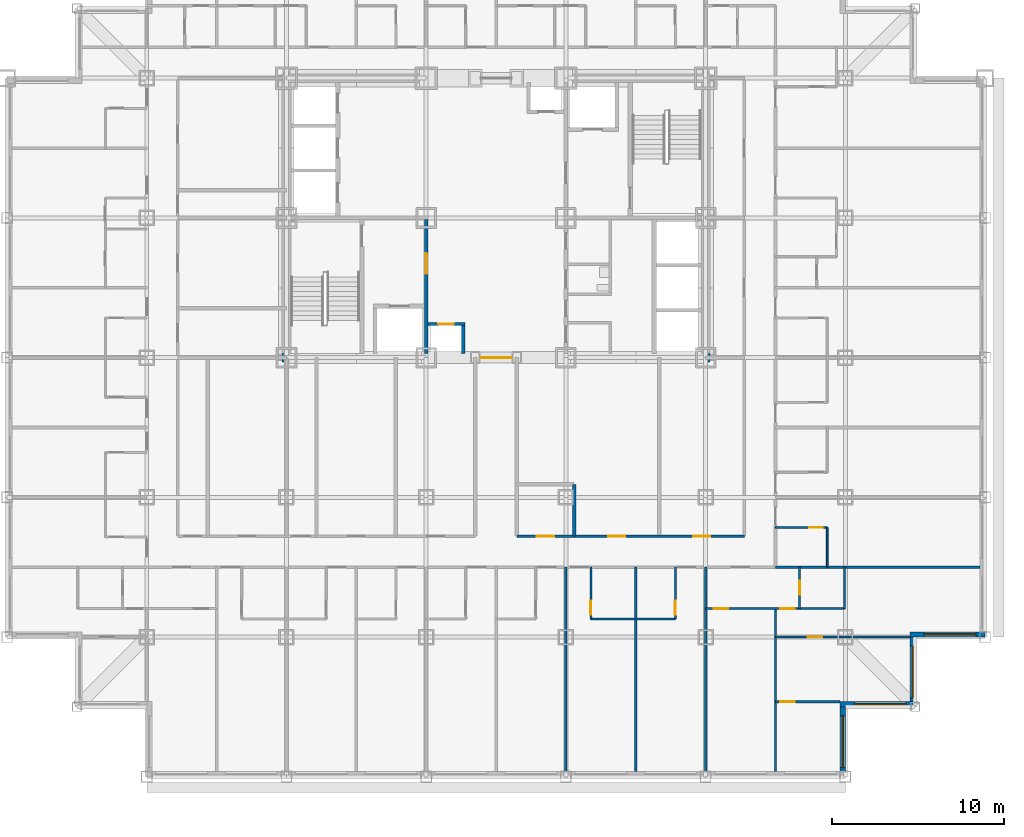
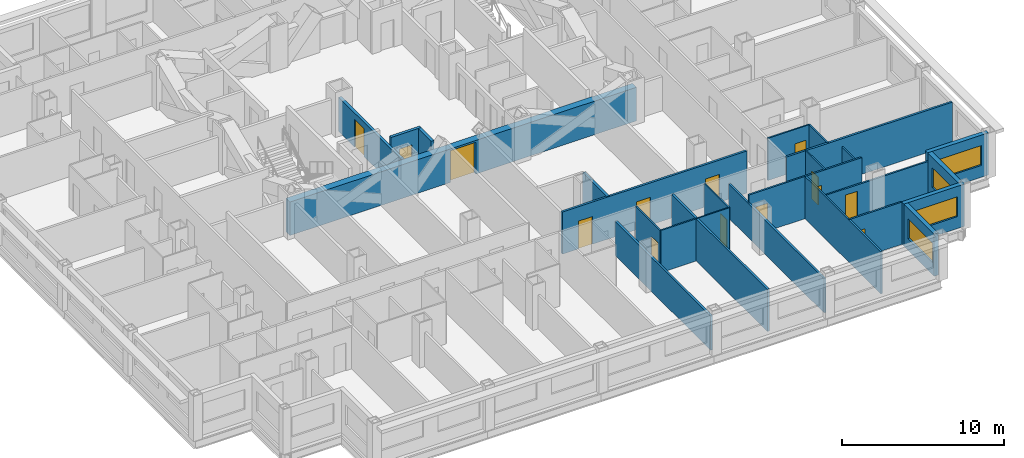
# One storey, part 6 of 13: 25 walls, 14 doors, 4 windows, 18 openings.
"""IFC4 building model written with IfcOpenShell, lengths in metres."""

from ifc_helpers import new_model, si_unit, direction, frame, frame_2d, origin, place, context, subcontext, project, spatial, rectangle, extrude, material, layer, layer_set, type_object, element, fill, save


model = new_model("IFC4")

# Units and contexts
model_context = context("Model", 3, precision=1e-05, world=origin(), true_north=direction((0.0, 1.0)))
body_context = subcontext(model_context, "Body", "Model", "MODEL_VIEW")
ifc_project = project(units=[si_unit("LENGTHUNIT", "METRE"), si_unit("AREAUNIT", "SQUARE_METRE"), si_unit("VOLUMEUNIT", "CUBIC_METRE"), si_unit("PLANEANGLEUNIT", "RADIAN"), si_unit("MASSUNIT", "GRAM", prefix="KILO")], contexts=[model_context])

# Site, building, storey
site_placement = place(None, origin())
site = spatial("IfcSite", under=ifc_project, at=site_placement, CompositionType="ELEMENT")
building_placement = place(site_placement, origin())
building = spatial("IfcBuilding", under=site, at=building_placement, Name="Kopane Lantern Tower", CompositionType="ELEMENT")
storey_placement = place(building_placement, frame((0.0, 0.0, 67.0)))
storey = spatial("IfcBuildingStorey", under=building, at=storey_placement, Name="L16", CompositionType="ELEMENT", Elevation=67.0)

# Wall, openings, doors
ifc_material_1 = material(Name="Gypsum board on steel studs", Category="steel")
ifc_layer_1 = layer(ifc_material_1, 0.1201171875)
ifc_layer_set_1 = layer_set([ifc_layer_1], Name="APARTMENT INTERNAL WALL 120")
wall_type_1 = type_object("IfcWallType", Name="APARTMENT INTERNAL WALL 120", PredefinedType="PARTITIONING", material=ifc_layer_set_1)
wall_1_placement = place(storey_placement, frame((40.5, 9.75, 0.0), z_axis=(0.0, 0.0, 1.0), x_axis=(1.0, 0.0, 0.0)))
wall_1 = element("IfcWall", 1, at=wall_1_placement, inside=storey, type_object=wall_type_1, Name="Apartment Internal Wall 120 L16", PredefinedType="PARTITIONING", context=body_context, shape_type="SweptSolid", body=[
    extrude(rectangle(XDim=8.050048828125, YDim=0.1201171875, at=frame_2d((4.02490234375, 0.0))), origin(), (0.0, 0.0, 1.0), 3.18994140625),
])
opening_1_placement = place(wall_1_placement, frame((0.47509765625, 0.0, 0.0)))
opening_1 = element("IfcOpeningElement", 2, at=opening_1_placement, cuts=wall_1, Name="Opening L16-073", PredefinedType="OPENING", context=body_context, shape_type="SweptSolid", body=[
    extrude(rectangle(XDim=0.85009765625, YDim=2.10009765625, at=frame_2d((0.425048828125, 1.050048828125))), frame((0.0, 0.070068359375, 0.0), z_axis=(0.0, -1.0, 0.0), x_axis=(1.0, 0.0, 0.0)), (0.0, 0.0, 1.0), 0.14013671875),
])
opening_2_placement = place(wall_1_placement, frame((4.324951171875, 0.0, 0.0)))
opening_2 = element("IfcOpeningElement", 3, at=opening_2_placement, cuts=wall_1, Name="Opening L16-075", PredefinedType="OPENING", context=body_context, shape_type="SweptSolid", body=[
    extrude(rectangle(XDim=0.85009765625, YDim=2.10009765625, at=frame_2d((0.425048828125, 1.050048828125))), frame((0.0, 0.070068359375, 0.0), z_axis=(0.0, -1.0, 0.0), x_axis=(1.0, 0.0, 0.0)), (0.0, 0.0, 1.0), 0.14013671875),
])
ifc_material_2 = material(Name="Timber door set", Category="wood")
door_type_1 = type_object("IfcDoorType", Name="DOOR D4 850x2100", OperationType="SINGLE_SWING_LEFT", PredefinedType="DOOR", material=ifc_material_2)
door_1_placement = place(opening_1_placement, origin())
door_1 = element("IfcDoor", 4, at=door_1_placement, inside=storey, type_object=door_type_1, Name="Door L16-073", OperationType="SINGLE_SWING_LEFT", OverallHeight=2.10009765625, OverallWidth=0.85009765625, PredefinedType="DOOR", context=body_context, shape_type="SweptSolid", body=[
    extrude(rectangle(XDim=0.85009765625, YDim=2.10009765625, at=frame_2d((0.425048828125, 1.050048828125))), frame((0.0, 0.02490234375, 0.0), z_axis=(0.0, -1.0, 0.0), x_axis=(1.0, 0.0, 0.0)), (0.0, 0.0, 1.0), 0.050048828125),
])
fill(opening_1, door_1)
door_2_placement = place(opening_2_placement, origin())
door_2 = element("IfcDoor", 5, at=door_2_placement, inside=storey, type_object=door_type_1, Name="Door L16-075", OperationType="SINGLE_SWING_RIGHT", OverallHeight=2.10009765625, OverallWidth=0.85009765625, PredefinedType="DOOR", context=body_context, shape_type="SweptSolid", body=[
    extrude(rectangle(XDim=0.85009765625, YDim=2.10009765625, at=frame_2d((0.425048828125, 1.050048828125))), frame((0.0, 0.02490234375, 0.0), z_axis=(0.0, -1.0, 0.0), x_axis=(1.0, 0.0, 0.0)), (0.0, 0.0, 1.0), 0.050048828125),
])
fill(opening_2, door_2)

# Wall
wall_2_placement = place(storey_placement, frame((44.550048828125, 9.75, 0.0), z_axis=(0.0, 0.0, 1.0), x_axis=(0.0, -1.0, 0.0)))
element("IfcWall", 6, at=wall_2_placement, inside=storey, type_object=wall_type_1, Name="Apartment Internal Wall 120 L16", PredefinedType="PARTITIONING", context=body_context, shape_type="SweptSolid", body=[
    extrude(rectangle(XDim=9.449951171875, YDim=0.1201171875, at=frame_2d((4.72509765625, 0.0))), origin(), (0.0, 0.0, 1.0), 3.18994140625),
])

# Wall, opening, door
wall_3_placement = place(storey_placement, frame((44.550048828125, 8.10009765625, 0.0), z_axis=(0.0, 0.0, 1.0), x_axis=(1.0, 0.0, 0.0)))
wall_3 = element("IfcWall", 7, at=wall_3_placement, inside=storey, type_object=wall_type_1, Name="Apartment Internal Wall 120 L16", PredefinedType="PARTITIONING", context=body_context, shape_type="SweptSolid", body=[
    extrude(rectangle(XDim=7.800048828125, YDim=0.1201171875, at=frame_2d((3.89990234375, 0.0))), origin(), (0.0, 0.0, 1.0), 2.577880859375),
])
opening_3_placement = place(wall_3_placement, frame((1.875, 0.0, 0.0)))
opening_3 = element("IfcOpeningElement", 8, at=opening_3_placement, cuts=wall_3, Name="Opening L16-076", PredefinedType="OPENING", context=body_context, shape_type="SweptSolid", body=[
    extrude(rectangle(XDim=0.85009765625, YDim=2.10009765625, at=frame_2d((0.425048828125, 1.050048828125))), frame((0.0, 0.070068359375, 0.0), z_axis=(0.0, -1.0, 0.0), x_axis=(1.0, 0.0, 0.0)), (0.0, 0.0, 1.0), 0.14013671875),
])
door_3_placement = place(opening_3_placement, origin())
door_3 = element("IfcDoor", 9, at=door_3_placement, inside=storey, type_object=door_type_1, Name="Door L16-076", OperationType="SINGLE_SWING_LEFT", OverallHeight=2.10009765625, OverallWidth=0.85009765625, PredefinedType="DOOR", context=body_context, shape_type="SweptSolid", body=[
    extrude(rectangle(XDim=0.85009765625, YDim=2.10009765625, at=frame_2d((0.425048828125, 1.050048828125))), frame((0.0, 0.02490234375, 0.0), z_axis=(0.0, -1.0, 0.0), x_axis=(1.0, 0.0, 0.0)), (0.0, 0.0, 1.0), 0.050048828125),
])
fill(opening_3, door_3)

wall_4_placement = place(storey_placement, frame((44.550048828125, 4.35009765625, 0.0), z_axis=(0.0, 0.0, 1.0), x_axis=(1.0, 0.0, 0.0)))
wall_4 = element("IfcWall", 10, at=wall_4_placement, inside=storey, type_object=wall_type_1, Name="Apartment Internal Wall 120 L16", PredefinedType="PARTITIONING", context=body_context, shape_type="SweptSolid", body=[
    extrude(rectangle(XDim=3.75, YDim=0.1201171875, at=frame_2d((1.875, 0.0))), origin(), (0.0, 0.0, 1.0), 3.18994140625),
])
opening_4_placement = place(wall_4_placement, frame((0.27490234375, 0.0, 0.0)))
opening_4 = element("IfcOpeningElement", 11, at=opening_4_placement, cuts=wall_4, Name="Opening L16-083", PredefinedType="OPENING", context=body_context, shape_type="SweptSolid", body=[
    extrude(rectangle(XDim=0.85009765625, YDim=2.10009765625, at=frame_2d((0.425048828125, 1.050048828125))), frame((0.0, 0.070068359375, 0.0), z_axis=(0.0, -1.0, 0.0), x_axis=(1.0, 0.0, 0.0)), (0.0, 0.0, 1.0), 0.14013671875),
])
door_4_placement = place(opening_4_placement, origin())
door_4 = element("IfcDoor", 12, at=door_4_placement, inside=storey, type_object=door_type_1, Name="Door L16-083", OperationType="SINGLE_SWING_RIGHT", OverallHeight=2.10009765625, OverallWidth=0.85009765625, PredefinedType="DOOR", context=body_context, shape_type="SweptSolid", body=[
    extrude(rectangle(XDim=0.85009765625, YDim=2.10009765625, at=frame_2d((0.425048828125, 1.050048828125))), frame((0.0, 0.02490234375, 0.0), z_axis=(0.0, -1.0, 0.0), x_axis=(1.0, 0.0, 0.0)), (0.0, 0.0, 1.0), 0.050048828125),
])
fill(opening_4, door_4)

# Wall
ifc_material_3 = material(Name="Moisture-resistant board on steel studs", Category="steel")
ifc_layer_2 = layer(ifc_material_3, 0.10009765625)
ifc_layer_set_2 = layer_set([ifc_layer_2], Name="BATHROOM WALL 100")
wall_type_2 = type_object("IfcWallType", Name="BATHROOM WALL 100", PredefinedType="PARTITIONING", material=ifc_layer_set_2)
wall_5_placement = place(storey_placement, frame((33.85009765625, 9.14990234375, 0.0), z_axis=(0.0, 0.0, 1.0), x_axis=(1.0, 0.0, 0.0)))
element("IfcWall", 13, at=wall_5_placement, inside=storey, type_object=wall_type_2, Name="Bathroom Wall 100 L16", PredefinedType="PARTITIONING", context=body_context, shape_type="SweptSolid", body=[
    extrude(rectangle(XDim=4.89990234375, YDim=0.10009765625, at=frame_2d((2.449951171875, 0.0))), origin(), (0.0, 0.0, 1.0), 3.18994140625),
])

# Wall, opening, door
wall_6_placement = place(storey_placement, frame((33.85009765625, 12.14990234375, 0.0), z_axis=(0.0, 0.0, 1.0), x_axis=(0.0, -1.0, 0.0)))
wall_6 = element("IfcWall", 14, at=wall_6_placement, inside=storey, type_object=wall_type_2, Name="Bathroom Wall 100 L16", PredefinedType="PARTITIONING", context=body_context, shape_type="SweptSolid", body=[
    extrude(rectangle(XDim=3.0, YDim=0.10009765625, at=frame_2d((1.5, 0.0))), origin(), (0.0, 0.0, 1.0), 3.18994140625),
])
opening_5_placement = place(wall_6_placement, frame((1.949951171875, 0.0, 0.0)))
opening_5 = element("IfcOpeningElement", 15, at=opening_5_placement, cuts=wall_6, Name="Opening L16-025", PredefinedType="OPENING", context=body_context, shape_type="SweptSolid", body=[
    extrude(rectangle(XDim=0.800048828125, YDim=2.10009765625, at=frame_2d((0.39990234375, 1.050048828125))), frame((0.0, 0.06005859375, 0.0), z_axis=(0.0, -1.0, 0.0), x_axis=(1.0, 0.0, 0.0)), (0.0, 0.0, 1.0), 0.1201171875),
])
ifc_material_4 = material(Name="Timber door set", Category="wood")
door_type_2 = type_object("IfcDoorType", Name="DOOR D2 800x2100", OperationType="SINGLE_SWING_LEFT", PredefinedType="DOOR", material=ifc_material_4)
door_5_placement = place(opening_5_placement, origin())
door_5 = element("IfcDoor", 16, at=door_5_placement, inside=storey, type_object=door_type_2, Name="Door L16-025", OperationType="SINGLE_SWING_RIGHT", OverallHeight=2.10009765625, OverallWidth=0.800048828125, PredefinedType="DOOR", context=body_context, shape_type="SweptSolid", body=[
    extrude(rectangle(XDim=0.800048828125, YDim=2.10009765625, at=frame_2d((0.39990234375, 1.050048828125))), frame((0.0, 0.02490234375, 0.0), z_axis=(0.0, -1.0, 0.0), x_axis=(1.0, 0.0, 0.0)), (0.0, 0.0, 1.0), 0.050048828125),
])
fill(opening_5, door_5)

wall_7_placement = place(storey_placement, frame((38.75, 12.14990234375, 0.0), z_axis=(0.0, 0.0, 1.0), x_axis=(0.0, -1.0, 0.0)))
wall_7 = element("IfcWall", 17, at=wall_7_placement, inside=storey, type_object=wall_type_2, Name="Bathroom Wall 100 L16", PredefinedType="PARTITIONING", context=body_context, shape_type="SweptSolid", body=[
    extrude(rectangle(XDim=3.0, YDim=0.10009765625, at=frame_2d((1.5, 0.0))), origin(), (0.0, 0.0, 1.0), 3.18994140625),
])
opening_6_placement = place(wall_7_placement, frame((1.949951171875, 0.0, 0.0)))
opening_6 = element("IfcOpeningElement", 18, at=opening_6_placement, cuts=wall_7, Name="Opening L16-027", PredefinedType="OPENING", context=body_context, shape_type="SweptSolid", body=[
    extrude(rectangle(XDim=0.800048828125, YDim=2.10009765625, at=frame_2d((0.39990234375, 1.050048828125))), frame((0.0, 0.06005859375, 0.0), z_axis=(0.0, -1.0, 0.0), x_axis=(1.0, 0.0, 0.0)), (0.0, 0.0, 1.0), 0.1201171875),
])
door_6_placement = place(opening_6_placement, origin())
door_6 = element("IfcDoor", 19, at=door_6_placement, inside=storey, type_object=door_type_2, Name="Door L16-027", OperationType="SINGLE_SWING_LEFT", OverallHeight=2.10009765625, OverallWidth=0.800048828125, PredefinedType="DOOR", context=body_context, shape_type="SweptSolid", body=[
    extrude(rectangle(XDim=0.800048828125, YDim=2.10009765625, at=frame_2d((0.39990234375, 1.050048828125))), frame((0.0, 0.02490234375, 0.0), z_axis=(0.0, -1.0, 0.0), x_axis=(1.0, 0.0, 0.0)), (0.0, 0.0, 1.0), 0.050048828125),
])
fill(opening_6, door_6)

# Wall
wall_8_placement = place(storey_placement, frame((47.550048828125, 12.14990234375, 0.0), z_axis=(0.0, 0.0, 1.0), x_axis=(0.0, 1.0, 0.0)))
element("IfcWall", 20, at=wall_8_placement, inside=storey, type_object=wall_type_2, Name="Bathroom Wall 100 L16", PredefinedType="PARTITIONING", context=body_context, shape_type="SweptSolid", body=[
    extrude(rectangle(XDim=2.300048828125, YDim=0.10009765625, at=frame_2d((1.14990234375, 0.0))), origin(), (0.0, 0.0, 1.0), 3.18994140625),
])

# Wall, opening, door
wall_9_placement = place(storey_placement, frame((44.550048828125, 14.449951171875, 0.0), z_axis=(0.0, 0.0, 1.0), x_axis=(1.0, 0.0, 0.0)))
wall_9 = element("IfcWall", 21, at=wall_9_placement, inside=storey, type_object=wall_type_2, Name="Bathroom Wall 100 L16", PredefinedType="PARTITIONING", context=body_context, shape_type="SweptSolid", body=[
    extrude(rectangle(XDim=3.0, YDim=0.10009765625, at=frame_2d((1.5, 0.0))), origin(), (0.0, 0.0, 1.0), 3.18994140625),
])
opening_7_placement = place(wall_9_placement, frame((1.949951171875, 0.0, 0.0)))
opening_7 = element("IfcOpeningElement", 22, at=opening_7_placement, cuts=wall_9, Name="Opening L16-054", PredefinedType="OPENING", context=body_context, shape_type="SweptSolid", body=[
    extrude(rectangle(XDim=0.800048828125, YDim=2.10009765625, at=frame_2d((0.39990234375, 1.050048828125))), frame((0.0, 0.06005859375, 0.0), z_axis=(0.0, -1.0, 0.0), x_axis=(1.0, 0.0, 0.0)), (0.0, 0.0, 1.0), 0.1201171875),
])
door_7_placement = place(opening_7_placement, origin())
door_7 = element("IfcDoor", 23, at=door_7_placement, inside=storey, type_object=door_type_2, Name="Door L16-054", OperationType="SINGLE_SWING_LEFT", OverallHeight=2.10009765625, OverallWidth=0.800048828125, PredefinedType="DOOR", context=body_context, shape_type="SweptSolid", body=[
    extrude(rectangle(XDim=0.800048828125, YDim=2.10009765625, at=frame_2d((0.39990234375, 1.050048828125))), frame((0.0, 0.02490234375, 0.0), z_axis=(0.0, -1.0, 0.0), x_axis=(1.0, 0.0, 0.0)), (0.0, 0.0, 1.0), 0.050048828125),
])
fill(opening_7, door_7)

wall_10_placement = place(storey_placement, frame((45.949951171875, 12.14990234375, 0.0), z_axis=(0.0, 0.0, 1.0), x_axis=(0.0, -1.0, 0.0)))
wall_10 = element("IfcWall", 24, at=wall_10_placement, inside=storey, type_object=wall_type_2, Name="Bathroom Wall 100 L16", PredefinedType="PARTITIONING", context=body_context, shape_type="SweptSolid", body=[
    extrude(rectangle(XDim=2.39990234375, YDim=0.10009765625, at=frame_2d((1.199951171875, 0.0))), origin(), (0.0, 0.0, 1.0), 3.18994140625),
])
opening_8_placement = place(wall_10_placement, frame((0.800048828125, 0.0, 0.0)))
opening_8 = element("IfcOpeningElement", 25, at=opening_8_placement, cuts=wall_10, Name="Opening L16-074", PredefinedType="OPENING", context=body_context, shape_type="SweptSolid", body=[
    extrude(rectangle(XDim=0.800048828125, YDim=2.10009765625, at=frame_2d((0.39990234375, 1.050048828125))), frame((0.0, 0.06005859375, 0.0), z_axis=(0.0, -1.0, 0.0), x_axis=(1.0, 0.0, 0.0)), (0.0, 0.0, 1.0), 0.1201171875),
])
door_8_placement = place(opening_8_placement, origin())
door_8 = element("IfcDoor", 26, at=door_8_placement, inside=storey, type_object=door_type_2, Name="Door L16-074", OperationType="SINGLE_SWING_LEFT", OverallHeight=2.10009765625, OverallWidth=0.800048828125, PredefinedType="DOOR", context=body_context, shape_type="SweptSolid", body=[
    extrude(rectangle(XDim=0.800048828125, YDim=2.10009765625, at=frame_2d((0.39990234375, 1.050048828125))), frame((0.0, 0.02490234375, 0.0), z_axis=(0.0, -1.0, 0.0), x_axis=(1.0, 0.0, 0.0)), (0.0, 0.0, 1.0), 0.050048828125),
])
fill(opening_8, door_8)

# Wall
wall_11_placement = place(storey_placement, frame((48.550048828125, 12.14990234375, 0.0), z_axis=(0.0, 0.0, 1.0), x_axis=(0.0, -1.0, 0.0)))
element("IfcWall", 27, at=wall_11_placement, inside=storey, type_object=wall_type_2, Name="Bathroom Wall 100 L16", PredefinedType="PARTITIONING", context=body_context, shape_type="SweptSolid", body=[
    extrude(rectangle(XDim=2.39990234375, YDim=0.10009765625, at=frame_2d((1.199951171875, 0.0))), origin(), (0.0, 0.0, 1.0), 2.577880859375),
])

# Wall, opening, door
ifc_material_5 = material(Name="Gypsum shaft wall EI 120", Category="gypsum")
ifc_layer_3 = layer(ifc_material_5, 0.5)
ifc_layer_set_3 = layer_set([ifc_layer_3], Name="CORE PERIMETER WALL 500 EI 120")
wall_type_3 = type_object("IfcWallType", Name="CORE PERIMETER WALL 500 EI 120", PredefinedType="SOLIDWALL", material=ifc_layer_set_3)
wall_12_placement = place(storey_placement, frame((15.949951171875, 24.300048828125, 0.0), z_axis=(0.0, 0.0, 1.0), x_axis=(1.0, 0.0, 0.0)))
wall_12 = element("IfcWall", 28, at=wall_12_placement, inside=storey, type_object=wall_type_3, Name="Core shaft wall L16 PS", PredefinedType="SOLIDWALL", context=body_context, shape_type="SweptSolid", body=[
    extrude(rectangle(XDim=24.800048828125, YDim=0.5, at=frame_2d((12.39990234375, 0.0))), origin(), (0.0, 0.0, 1.0), 2.5400390625),
])
opening_9_placement = place(wall_12_placement, frame((11.5, 0.0, 0.0)))
opening_9 = element("IfcOpeningElement", 29, at=opening_9_placement, cuts=wall_12, Name="Opening 16.CE-S", PredefinedType="OPENING", context=body_context, shape_type="SweptSolid", body=[
    extrude(rectangle(XDim=1.800048828125, YDim=2.39990234375, at=frame_2d((0.89990234375, 1.199951171875))), frame((0.0, 0.260009765625, 0.0), z_axis=(0.0, -1.0, 0.0), x_axis=(1.0, 0.0, 0.0)), (0.0, 0.0, 1.0), 0.52001953125),
])
ifc_material_6 = material(Name="Steel door set", Category="steel")
door_type_3 = type_object("IfcDoorType", Name="CORE ENTRY DOOR 1800x2400 FD60S", OperationType="DOUBLE_DOOR_SINGLE_SWING", PredefinedType="DOOR", material=ifc_material_6)
door_9_placement = place(opening_9_placement, origin())
door_9 = element("IfcDoor", 30, at=door_9_placement, inside=storey, type_object=door_type_3, Name="Core entry door L16 south", OperationType="DOUBLE_DOOR_SINGLE_SWING", OverallHeight=2.39990234375, OverallWidth=1.800048828125, PredefinedType="DOOR", context=body_context, shape_type="SweptSolid", body=[
    extrude(rectangle(XDim=1.800048828125, YDim=2.39990234375, at=frame_2d((0.89990234375, 1.199951171875))), frame((0.0, 0.02490234375, 0.0), z_axis=(0.0, -1.0, 0.0), x_axis=(1.0, 0.0, 0.0)), (0.0, 0.0, 1.0), 0.050048828125),
])
fill(opening_9, door_9)

# Wall, openings, doors
ifc_material_7 = material(Name="Gypsum board on steel studs", Category="steel")
ifc_layer_4 = layer(ifc_material_7, 0.14990234375)
ifc_layer_set_4 = layer_set([ifc_layer_4], Name="CORRIDOR WALL 150 EI 60")
wall_type_4 = type_object("IfcWallType", Name="CORRIDOR WALL 150 EI 60", PredefinedType="PARTITIONING", material=ifc_layer_set_4)
wall_13_placement = place(storey_placement, frame((29.56005859375, 13.949951171875, 0.0), z_axis=(0.0, 0.0, 1.0), x_axis=(1.0, 0.0, 0.0)))
wall_13 = element("IfcWall", 31, at=wall_13_placement, inside=storey, type_object=wall_type_4, Name="Corridor Wall 150 Ei 60 L16", PredefinedType="PARTITIONING", context=body_context, shape_type="SweptSolid", body=[
    extrude(rectangle(XDim=13.18994140625, YDim=0.14990234375, at=frame_2d((6.594970703125, 0.0))), origin(), (0.0, 0.0, 1.0), 3.18994140625),
])
opening_10_placement = place(wall_13_placement, frame((1.15673828125, 0.0, 0.0)))
opening_10 = element("IfcOpeningElement", 32, at=opening_10_placement, cuts=wall_13, Name="Opening L16-012", PredefinedType="OPENING", context=body_context, shape_type="SweptSolid", body=[
    extrude(rectangle(XDim=1.0, YDim=2.10009765625, at=frame_2d((0.5, 1.050048828125))), frame((0.0, 0.0849609375, 0.0), z_axis=(0.0, -1.0, 0.0), x_axis=(1.0, 0.0, 0.0)), (0.0, 0.0, 1.0), 0.169921875),
])
opening_11_placement = place(wall_13_placement, frame((5.2900390625, 0.0, 0.0)))
opening_11 = element("IfcOpeningElement", 33, at=opening_11_placement, cuts=wall_13, Name="Opening L16-013", PredefinedType="OPENING", context=body_context, shape_type="SweptSolid", body=[
    extrude(rectangle(XDim=1.0, YDim=2.10009765625, at=frame_2d((0.5, 1.050048828125))), frame((0.0, 0.0849609375, 0.0), z_axis=(0.0, -1.0, 0.0), x_axis=(1.0, 0.0, 0.0)), (0.0, 0.0, 1.0), 0.169921875),
])
opening_12_placement = place(wall_13_placement, frame((10.223388671875, 0.0, 0.0)))
opening_12 = element("IfcOpeningElement", 34, at=opening_12_placement, cuts=wall_13, Name="Opening L16-014", PredefinedType="OPENING", context=body_context, shape_type="SweptSolid", body=[
    extrude(rectangle(XDim=1.0, YDim=2.10009765625, at=frame_2d((0.5, 1.050048828125))), frame((0.0, 0.0849609375, 0.0), z_axis=(0.0, -1.0, 0.0), x_axis=(1.0, 0.0, 0.0)), (0.0, 0.0, 1.0), 0.169921875),
])
ifc_material_8 = material(Name="Steel door set", Category="steel")
door_type_4 = type_object("IfcDoorType", Name="DOOR D5 1000x2100 FD60", OperationType="SINGLE_SWING_LEFT", PredefinedType="DOOR", material=ifc_material_8)
door_10_placement = place(opening_10_placement, origin())
door_10 = element("IfcDoor", 35, at=door_10_placement, inside=storey, type_object=door_type_4, Name="Door L16-012", OperationType="SINGLE_SWING_LEFT", OverallHeight=2.10009765625, OverallWidth=1.0, PredefinedType="DOOR", context=body_context, shape_type="SweptSolid", body=[
    extrude(rectangle(XDim=1.0, YDim=2.10009765625, at=frame_2d((0.5, 1.050048828125))), frame((0.0, 0.02490234375, 0.0), z_axis=(0.0, -1.0, 0.0), x_axis=(1.0, 0.0, 0.0)), (0.0, 0.0, 1.0), 0.050048828125),
])
fill(opening_10, door_10)
door_11_placement = place(opening_11_placement, origin())
door_11 = element("IfcDoor", 36, at=door_11_placement, inside=storey, type_object=door_type_4, Name="Door L16-013", OperationType="SINGLE_SWING_RIGHT", OverallHeight=2.10009765625, OverallWidth=1.0, PredefinedType="DOOR", context=body_context, shape_type="SweptSolid", body=[
    extrude(rectangle(XDim=1.0, YDim=2.10009765625, at=frame_2d((0.5, 1.050048828125))), frame((0.0, 0.02490234375, 0.0), z_axis=(0.0, -1.0, 0.0), x_axis=(1.0, 0.0, 0.0)), (0.0, 0.0, 1.0), 0.050048828125),
])
fill(opening_11, door_11)
door_12_placement = place(opening_12_placement, origin())
door_12 = element("IfcDoor", 37, at=door_12_placement, inside=storey, type_object=door_type_4, Name="Door L16-014", OperationType="SINGLE_SWING_LEFT", OverallHeight=2.10009765625, OverallWidth=1.0, PredefinedType="DOOR", context=body_context, shape_type="SweptSolid", body=[
    extrude(rectangle(XDim=1.0, YDim=2.10009765625, at=frame_2d((0.5, 1.050048828125))), frame((0.0, 0.02490234375, 0.0), z_axis=(0.0, -1.0, 0.0), x_axis=(1.0, 0.0, 0.0)), (0.0, 0.0, 1.0), 0.050048828125),
])
fill(opening_12, door_12)

# Walls
ifc_material_9 = material(Name="Gypsum board on steel studs", Category="steel")
ifc_layer_5 = layer(ifc_material_9, 0.14990234375)
ifc_layer_set_5 = layer_set([ifc_layer_5], Name="DEMISING WALL 150 EI 60")
wall_type_5 = type_object("IfcWallType", Name="DEMISING WALL 150 EI 60", PredefinedType="PARTITIONING", material=ifc_layer_set_5)
wall_14_placement = place(storey_placement, frame((32.39990234375, 12.14990234375, 0.0), z_axis=(0.0, 0.0, 1.0), x_axis=(0.0, -1.0, 0.0)))
element("IfcWall", 38, at=wall_14_placement, inside=storey, type_object=wall_type_5, Name="Demising Wall 150 Ei 60 L16", PredefinedType="PARTITIONING", context=body_context, shape_type="SweptSolid", body=[
    extrude(rectangle(XDim=11.849853515625, YDim=0.14990234375, at=frame_2d((5.9248046875, 0.0))), origin(), (0.0, 0.0, 1.0), 2.577880859375),
])
for number, where, z_axis, x_axis, name in (
    (39, (36.449951171875, 12.14990234375, 0.0), (0.0, 0.0, 1.0), (0.0, -1.0, 0.0), "Demising Wall 150 Ei 60 L16"),
    (40, (44.550048828125, 12.14990234375, 0.0), (0.0, 0.0, 1.0), (1.0, 0.0, 0.0), "Demising Wall 150 Ei 60 L16"),
):
    element("IfcWall", number, at=place(storey_placement, frame(where, z_axis=z_axis, x_axis=x_axis)), inside=storey, type_object=wall_type_5, Name=name, PredefinedType="PARTITIONING", context=body_context, shape_type="SweptSolid", body=[
        extrude(rectangle(XDim=11.849853515625, YDim=0.14990234375, at=frame_2d((5.9248046875, 0.0))), origin(), (0.0, 0.0, 1.0), 3.18994140625),
    ])
wall_15_placement = place(storey_placement, frame((40.5, 12.14990234375, 0.0), z_axis=(0.0, 0.0, 1.0), x_axis=(0.0, -1.0, 0.0)))
element("IfcWall", 41, at=wall_15_placement, inside=storey, type_object=wall_type_5, Name="Demising Wall 150 Ei 60 L16", PredefinedType="PARTITIONING", context=body_context, shape_type="SweptSolid", body=[
    extrude(rectangle(XDim=11.849853515625, YDim=0.14990234375, at=frame_2d((5.9248046875, 0.0))), origin(), (0.0, 0.0, 1.0), 2.577880859375),
])

# Wall, opening, window
ifc_material_10 = material(Name="Terracotta rainscreen on light steel framing", Category="masonry")
ifc_layer_6 = layer(ifc_material_10, 0.300048828125)
ifc_layer_set_6 = layer_set([ifc_layer_6], Name="EXTERNAL WALL EW1 300 TERRACOTTA")
wall_type_6 = type_object("IfcWallType", Name="EXTERNAL WALL EW1 300 TERRACOTTA", PredefinedType="SOLIDWALL", material=ifc_layer_set_6)
wall_16_placement = place(storey_placement, frame((48.449951171875, 0.300048828125, 0.0), z_axis=(0.0, 0.0, 1.0), x_axis=(0.0, 1.0, 0.0)))
wall_16 = element("IfcWall", 42, at=wall_16_placement, inside=storey, type_object=wall_type_6, Name="External wall E L16", PredefinedType="SOLIDWALL", context=body_context, shape_type="SweptSolid", body=[
    extrude(rectangle(XDim=3.75, YDim=0.300048828125, at=frame_2d((1.875, 0.0))), origin(), (0.0, 0.0, 1.0), 3.18994140625),
])
opening_13_placement = place(wall_16_placement, frame((0.22509765625, 0.0, 0.89990234375)))
opening_13 = element("IfcOpeningElement", 43, at=opening_13_placement, cuts=wall_16, Name="Opening WR300150", PredefinedType="OPENING", context=body_context, shape_type="SweptSolid", body=[
    extrude(rectangle(XDim=3.0, YDim=1.5, at=frame_2d((1.5, 0.75))), frame((0.0, 0.159912109375, 0.0), z_axis=(0.0, -1.0, 0.0), x_axis=(1.0, 0.0, 0.0)), (0.0, 0.0, 1.0), 0.320068359375),
])
ifc_material_11 = material(Name="Aluminium and clear glass", Category="aluminium")
window_type = type_object("IfcWindowType", Name="RIBBON WINDOW WR300150 3000x1500", PartitioningType="SINGLE_PANEL", PredefinedType="WINDOW", material=ifc_material_11)
window_1_placement = place(opening_13_placement, origin())
window_1 = element("IfcWindow", 44, at=window_1_placement, inside=storey, type_object=window_type, Name="Window E L16", OverallHeight=1.5, OverallWidth=3.0, PartitioningType="SINGLE_PANEL", PredefinedType="WINDOW", context=body_context, shape_type="SweptSolid", body=[
    extrude(rectangle(XDim=3.0, YDim=1.5, at=frame_2d((1.5, 0.75))), frame((0.0, 0.030029296875, 0.0), z_axis=(0.0, -1.0, 0.0), x_axis=(1.0, 0.0, 0.0)), (0.0, 0.0, 1.0), 0.06005859375),
])
fill(opening_13, window_1)

wall_17_placement = place(storey_placement, frame((48.300048828125, 4.199951171875, 0.0), z_axis=(0.0, 0.0, 1.0), x_axis=(1.0, 0.0, 0.0)))
wall_17 = element("IfcWall", 45, at=wall_17_placement, inside=storey, type_object=wall_type_6, Name="External wall S L16", PredefinedType="SOLIDWALL", context=body_context, shape_type="SweptSolid", body=[
    extrude(rectangle(XDim=4.349853515625, YDim=0.300048828125, at=frame_2d((2.1748046875, 0.0))), origin(), (0.0, 0.0, 1.0), 3.18994140625),
])
opening_14_placement = place(wall_17_placement, frame((0.824951171875, 0.0, 0.89990234375)))
opening_14 = element("IfcOpeningElement", 46, at=opening_14_placement, cuts=wall_17, Name="Opening WR300150", PredefinedType="OPENING", context=body_context, shape_type="SweptSolid", body=[
    extrude(rectangle(XDim=3.0, YDim=1.5, at=frame_2d((1.5, 0.75))), frame((0.0, 0.159912109375, 0.0), z_axis=(0.0, -1.0, 0.0), x_axis=(1.0, 0.0, 0.0)), (0.0, 0.0, 1.0), 0.320068359375),
])
window_2_placement = place(opening_14_placement, origin())
window_2 = element("IfcWindow", 47, at=window_2_placement, inside=storey, type_object=window_type, Name="Window S L16", OverallHeight=1.5, OverallWidth=3.0, PartitioningType="SINGLE_PANEL", PredefinedType="WINDOW", context=body_context, shape_type="SweptSolid", body=[
    extrude(rectangle(XDim=3.0, YDim=1.5, at=frame_2d((1.5, 0.75))), frame((0.0, 0.030029296875, 0.0), z_axis=(0.0, -1.0, 0.0), x_axis=(1.0, 0.0, 0.0)), (0.0, 0.0, 1.0), 0.06005859375),
])
fill(opening_14, window_2)

wall_18_placement = place(storey_placement, frame((52.5, 4.35009765625, 0.0), z_axis=(0.0, 0.0, 1.0), x_axis=(0.0, 1.0, 0.0)))
wall_18 = element("IfcWall", 48, at=wall_18_placement, inside=storey, type_object=wall_type_6, Name="External wall E L16", PredefinedType="SOLIDWALL", context=body_context, shape_type="SweptSolid", body=[
    extrude(rectangle(XDim=3.75, YDim=0.300048828125, at=frame_2d((1.875, 0.0))), origin(), (0.0, 0.0, 1.0), 3.18994140625),
])
opening_15_placement = place(wall_18_placement, frame((0.22509765625, 0.0, 0.89990234375)))
opening_15 = element("IfcOpeningElement", 49, at=opening_15_placement, cuts=wall_18, Name="Opening WR300150", PredefinedType="OPENING", context=body_context, shape_type="SweptSolid", body=[
    extrude(rectangle(XDim=3.0, YDim=1.5, at=frame_2d((1.5, 0.75))), frame((0.0, 0.159912109375, 0.0), z_axis=(0.0, -1.0, 0.0), x_axis=(1.0, 0.0, 0.0)), (0.0, 0.0, 1.0), 0.320068359375),
])
window_3_placement = place(opening_15_placement, origin())
window_3 = element("IfcWindow", 50, at=window_3_placement, inside=storey, type_object=window_type, Name="Window E L16", OverallHeight=1.5, OverallWidth=3.0, PartitioningType="SINGLE_PANEL", PredefinedType="WINDOW", context=body_context, shape_type="SweptSolid", body=[
    extrude(rectangle(XDim=3.0, YDim=1.5, at=frame_2d((1.5, 0.75))), frame((0.0, 0.030029296875, 0.0), z_axis=(0.0, -1.0, 0.0), x_axis=(1.0, 0.0, 0.0)), (0.0, 0.0, 1.0), 0.06005859375),
])
fill(opening_15, window_3)

wall_19_placement = place(storey_placement, frame((52.35009765625, 8.25, 0.0), z_axis=(0.0, 0.0, 1.0), x_axis=(1.0, 0.0, 0.0)))
wall_19 = element("IfcWall", 51, at=wall_19_placement, inside=storey, type_object=wall_type_6, Name="External wall S L16", PredefinedType="SOLIDWALL", context=body_context, shape_type="SweptSolid", body=[
    extrude(rectangle(XDim=4.349853515625, YDim=0.300048828125, at=frame_2d((2.1748046875, 0.0))), origin(), (0.0, 0.0, 1.0), 3.18994140625),
])
opening_16_placement = place(wall_19_placement, frame((0.824951171875, 0.0, 0.89990234375)))
opening_16 = element("IfcOpeningElement", 52, at=opening_16_placement, cuts=wall_19, Name="Opening WR300150", PredefinedType="OPENING", context=body_context, shape_type="SweptSolid", body=[
    extrude(rectangle(XDim=3.0, YDim=1.5, at=frame_2d((1.5, 0.75))), frame((0.0, 0.159912109375, 0.0), z_axis=(0.0, -1.0, 0.0), x_axis=(1.0, 0.0, 0.0)), (0.0, 0.0, 1.0), 0.320068359375),
])
window_4_placement = place(opening_16_placement, origin())
window_4 = element("IfcWindow", 53, at=window_4_placement, inside=storey, type_object=window_type, Name="Window S L16", OverallHeight=1.5, OverallWidth=3.0, PartitioningType="SINGLE_PANEL", PredefinedType="WINDOW", context=body_context, shape_type="SweptSolid", body=[
    extrude(rectangle(XDim=3.0, YDim=1.5, at=frame_2d((1.5, 0.75))), frame((0.0, 0.030029296875, 0.0), z_axis=(0.0, -1.0, 0.0), x_axis=(1.0, 0.0, 0.0)), (0.0, 0.0, 1.0), 0.06005859375),
])
fill(opening_16, window_4)

# Wall
ifc_material_12 = material(Name="Concrete masonry", Category="masonry")
ifc_layer_7 = layer(ifc_material_12, 0.199951171875)
ifc_layer_set_7 = layer_set([ifc_layer_7], Name="PLANT ROOM WALL 200 EI 120")
wall_type_7 = type_object("IfcWallType", Name="PLANT ROOM WALL 200 EI 120", PredefinedType="SOLIDWALL", material=ifc_layer_set_7)
wall_20_placement = place(storey_placement, frame((32.88330078125, 13.949951171875, 0.0), z_axis=(0.0, 0.0, 1.0), x_axis=(0.0, 1.0, 0.0)))
element("IfcWall", 54, at=wall_20_placement, inside=storey, type_object=wall_type_7, Name="Plant Room Wall 200 Ei 120 L16", PredefinedType="SOLIDWALL", context=body_context, shape_type="SweptSolid", body=[
    extrude(rectangle(XDim=3.0, YDim=0.199951171875, at=frame_2d((1.5, 0.0))), origin(), (0.0, 0.0, 1.0), 3.18994140625),
])

# Wall, opening, door
ifc_material_13 = material(Name="Gypsum shaft wall EI 120", Category="gypsum")
ifc_layer_8 = layer(ifc_material_13, 0.199951171875)
ifc_layer_set_8 = layer_set([ifc_layer_8], Name="SHAFT WALL 200 EI 120")
wall_type_8 = type_object("IfcWallType", Name="SHAFT WALL 200 EI 120", PredefinedType="SOLIDWALL", material=ifc_layer_set_8)
wall_21_placement = place(storey_placement, frame((24.300048828125, 24.550048828125, 0.0), z_axis=(0.0, 0.0, 1.0), x_axis=(0.0, 1.0, 0.0)))
wall_21 = element("IfcWall", 55, at=wall_21_placement, inside=storey, type_object=wall_type_8, Name="Core shaft wall L16 X243", PredefinedType="SOLIDWALL", context=body_context, shape_type="SweptSolid", body=[
    extrude(rectangle(XDim=7.75, YDim=0.199951171875, at=frame_2d((3.875, 0.0))), origin(), (0.0, 0.0, 1.0), 2.577880859375),
])
opening_17_placement = place(wall_21_placement, frame((4.60009765625, 0.0, 0.0)))
opening_17 = element("IfcOpeningElement", 56, at=opening_17_placement, cuts=wall_21, Name="Opening 16.FL1", PredefinedType="OPENING", context=body_context, shape_type="SweptSolid", body=[
    extrude(rectangle(XDim=1.199951171875, YDim=2.10009765625, at=frame_2d((0.60009765625, 1.050048828125))), frame((0.0, 0.10986328125, 0.0), z_axis=(0.0, -1.0, 0.0), x_axis=(1.0, 0.0, 0.0)), (0.0, 0.0, 1.0), 0.219970703125),
])
ifc_material_14 = material(Name="Steel door set", Category="steel")
door_type_5 = type_object("IfcDoorType", Name="FIREFIGHTING LOBBY DOOR 1200x2100 FD60S", OperationType="SINGLE_SWING_RIGHT", PredefinedType="DOOR", material=ifc_material_14)
door_13_placement = place(opening_17_placement, origin())
door_13 = element("IfcDoor", 57, at=door_13_placement, inside=storey, type_object=door_type_5, Name="Firefighting lobby door FL1 L16", OperationType="SINGLE_SWING_LEFT", OverallHeight=2.10009765625, OverallWidth=1.199951171875, PredefinedType="DOOR", context=body_context, shape_type="SweptSolid", body=[
    extrude(rectangle(XDim=1.199951171875, YDim=2.10009765625, at=frame_2d((0.60009765625, 1.050048828125))), frame((0.0, 0.02490234375, 0.0), z_axis=(0.0, -1.0, 0.0), x_axis=(1.0, 0.0, 0.0)), (0.0, 0.0, 1.0), 0.050048828125),
])
fill(opening_17, door_13)

# Wall
wall_22_placement = place(storey_placement, frame((26.449951171875, 24.550048828125, 0.0), z_axis=(0.0, 0.0, 1.0), x_axis=(0.0, 1.0, 0.0)))
element("IfcWall", 58, at=wall_22_placement, inside=storey, type_object=wall_type_8, Name="Core shaft wall L16 XRS1", PredefinedType="SOLIDWALL", context=body_context, shape_type="SweptSolid", body=[
    extrude(rectangle(XDim=1.599853515625, YDim=0.199951171875, at=frame_2d((0.7998046875, 0.0))), origin(), (0.0, 0.0, 1.0), 3.18994140625),
])

# Wall, opening, door
wall_23_placement = place(storey_placement, frame((24.39990234375, 26.25, 0.0), z_axis=(0.0, 0.0, 1.0), x_axis=(1.0, 0.0, 0.0)))
wall_23 = element("IfcWall", 59, at=wall_23_placement, inside=storey, type_object=wall_type_8, Name="Core shaft wall L16 YRS1", PredefinedType="SOLIDWALL", context=body_context, shape_type="SweptSolid", body=[
    extrude(rectangle(XDim=2.150146484375, YDim=0.199951171875, at=frame_2d((1.0751953125, 0.0))), origin(), (0.0, 0.0, 1.0), 3.18994140625),
])
opening_18_placement = place(wall_23_placement, frame((0.60009765625, 0.0, 0.0)))
opening_18 = element("IfcOpeningElement", 60, at=opening_18_placement, cuts=wall_23, Name="Opening 16.RS1", PredefinedType="OPENING", context=body_context, shape_type="SweptSolid", body=[
    extrude(rectangle(XDim=0.89990234375, YDim=2.10009765625, at=frame_2d((0.449951171875, 1.050048828125))), frame((0.0, 0.10986328125, 0.0), z_axis=(0.0, -1.0, 0.0), x_axis=(1.0, 0.0, 0.0)), (0.0, 0.0, 1.0), 0.219970703125),
])
ifc_material_15 = material(Name="Steel door set", Category="steel")
door_type_6 = type_object("IfcDoorType", Name="RISER ACCESS DOOR 900x2100 FD60", OperationType="SINGLE_SWING_LEFT", PredefinedType="DOOR", material=ifc_material_15)
door_14_placement = place(opening_18_placement, origin())
door_14 = element("IfcDoor", 61, at=door_14_placement, inside=storey, type_object=door_type_6, Name="Riser access door RS1 L16", OperationType="SINGLE_SWING_LEFT", OverallHeight=2.10009765625, OverallWidth=0.89990234375, PredefinedType="DOOR", context=body_context, shape_type="SweptSolid", body=[
    extrude(rectangle(XDim=0.89990234375, YDim=2.10009765625, at=frame_2d((0.449951171875, 1.050048828125))), frame((0.0, 0.02490234375, 0.0), z_axis=(0.0, -1.0, 0.0), x_axis=(1.0, 0.0, 0.0)), (0.0, 0.0, 1.0), 0.050048828125),
])
fill(opening_18, door_14)

save(model, "model.ifc")
